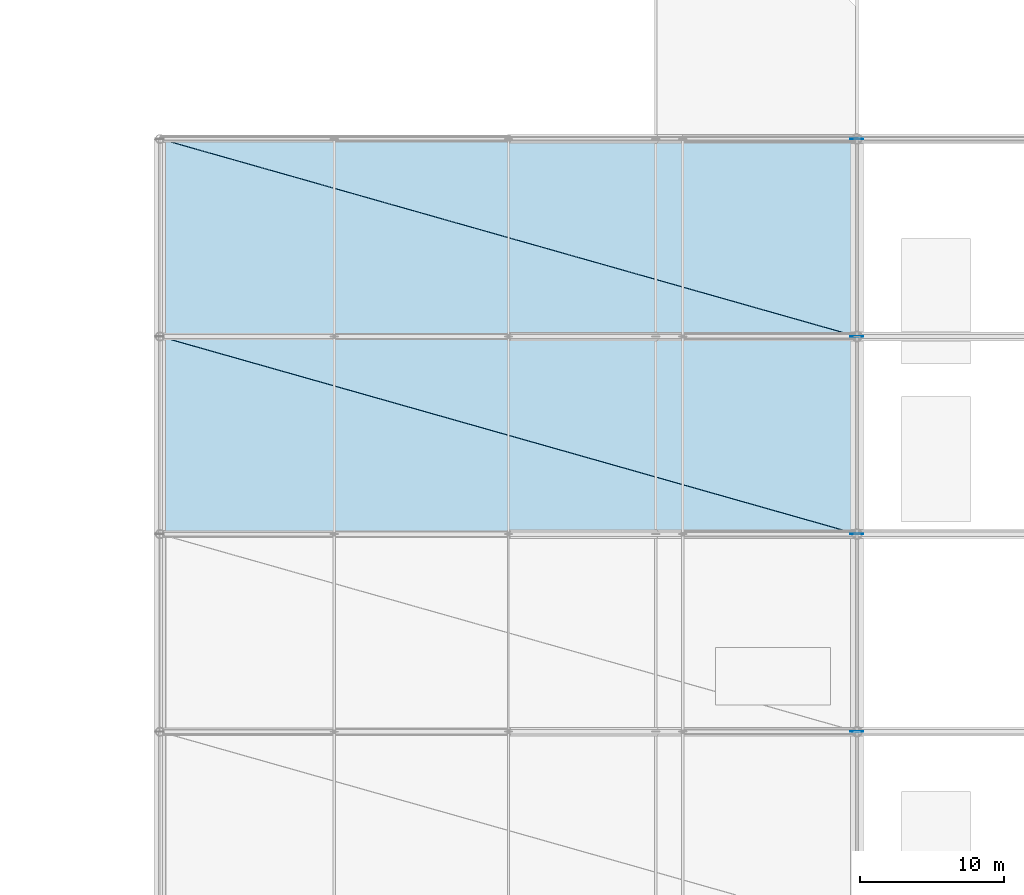
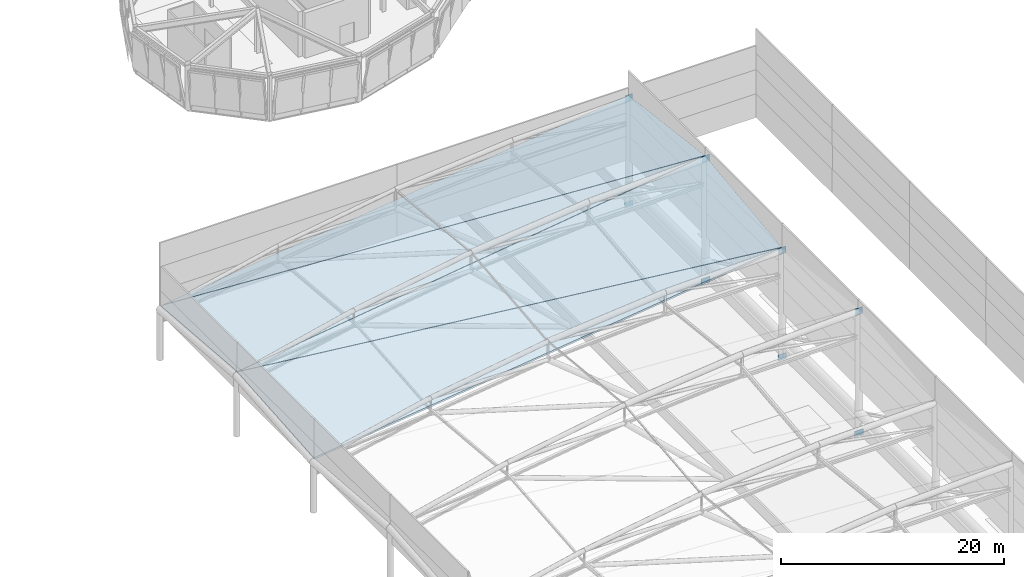
# One storey, part 72 of 113: 8 plates, 4 slabs.
"""IFC4 building model written with IfcOpenShell, lengths in metres."""

from ifc_helpers import new_model, si_unit, direction, frame, origin, origin_2d, place, context, subcontext, project, spatial, polyline, rectangle, outline, extrude, material, layer, layer_set, type_object, element, save


model = new_model("IFC4")

# Units and contexts
model_context = context("Model", 3, precision=1e-05, world=origin(), true_north=direction((0.0, 1.0)))
body_context = subcontext(model_context, "Body", "Model", "MODEL_VIEW")
ifc_project = project(units=[si_unit("LENGTHUNIT", "METRE"), si_unit("AREAUNIT", "SQUARE_METRE"), si_unit("VOLUMEUNIT", "CUBIC_METRE"), si_unit("PLANEANGLEUNIT", "RADIAN"), si_unit("MASSUNIT", "GRAM", prefix="KILO")], contexts=[model_context])

# Site, building, storey
site_placement = place(None, origin())
site = spatial("IfcSite", under=ifc_project, at=site_placement, CompositionType="ELEMENT")
building_placement = place(site_placement, origin())
building = spatial("IfcBuilding", under=site, at=building_placement, Name="Linyun Crest Stadium", CompositionType="ELEMENT")
storey_placement = place(building_placement, frame((0.0, 0.0, 26.39990234375)))
storey = spatial("IfcBuildingStorey", under=building, at=storey_placement, Name="L06", CompositionType="ELEMENT", Elevation=26.39990234375)

# Plates
ifc_material_1 = material(Name="Steel Q420C", Category="steel")
ifc_layer_1 = layer(ifc_material_1, 0.02392578125)
ifc_layer_set_1 = layer_set([ifc_layer_1], Name="Steel Q420C")
plate_type_1 = type_object("IfcPlateType", Name="EP02", PredefinedType="USERDEFINED", material=ifc_layer_set_1)
for number, where, z_axis, x_axis, name in (
    (1, (84.0, 2.125, 12.8701171875), (0.0, 0.0, 1.0), (1.0, 0.0, 0.0), "Roof mast cap end plate EP02 157"),
    (2, (84.0, 15.875, 11.169921875), (0.0, 0.0, 1.0), (1.0, 0.0, 0.0), "Roof mast cap end plate EP02 170"),
    (3, (84.0, 29.625, 12.8701171875), (0.0, 0.0, 1.0), (1.0, 0.0, 0.0), "Roof mast cap end plate EP02 183"),
    (4, (84.0, 43.375, 11.169921875), (0.0, 0.0, 1.0), (1.0, 0.0, 0.0), "Roof mast cap end plate EP02 196"),
):
    element("IfcPlate", number, at=place(storey_placement, frame(where, z_axis=z_axis, x_axis=x_axis)), inside=storey, type_object=plate_type_1, Name=name, ObjectType="END PLATE", PredefinedType="USERDEFINED", context=body_context, shape_type="SweptSolid", body=[
        extrude(rectangle(XDim=0.760009765625, YDim=0.02392578125, at=origin_2d()), origin(), (0.0, 0.0, 1.0), 0.760009765625),
    ])
ifc_material_2 = material(Name="Steel Q420C", Category="steel")
ifc_layer_2 = layer(ifc_material_2, 0.031982421875)
ifc_layer_set_2 = layer_set([ifc_layer_2], Name="Steel Q420C")
plate_type_2 = type_object("IfcPlateType", Name="NP03", PredefinedType="USERDEFINED", material=ifc_layer_set_2)
for number, where, z_axis, x_axis, name in (
    (5, (84.0, 2.125, -0.389892578125), (0.0, 0.0, 1.0), (1.0, 0.0, 0.0), "Roof mast base gusset plate NP03 158"),
    (6, (84.0, 15.875, -0.389892578125), (0.0, 0.0, 1.0), (1.0, 0.0, 0.0), "Roof mast base gusset plate NP03 171"),
    (7, (84.0, 29.625, -0.389892578125), (0.0, 0.0, 1.0), (1.0, 0.0, 0.0), "Roof mast base gusset plate NP03 184"),
    (8, (84.0, 43.375, -0.389892578125), (0.0, 0.0, 1.0), (1.0, 0.0, 0.0), "Roof mast base gusset plate NP03 197"),
):
    element("IfcPlate", number, at=place(storey_placement, frame(where, z_axis=z_axis, x_axis=x_axis)), inside=storey, type_object=plate_type_2, Name=name, ObjectType="GUSSET PLATE", PredefinedType="USERDEFINED", context=body_context, shape_type="SweptSolid", body=[
        extrude(rectangle(XDim=0.89990234375, YDim=0.031982421875, at=origin_2d()), origin(), (0.0, 0.0, 1.0), 0.64990234375),
    ])

# Slabs
ifc_material_3 = material(Name="Concrete C40", Category="concrete")
ifc_layer_3 = layer(ifc_material_3, 0.205078125)
ifc_layer_set_3 = layer_set([ifc_layer_3], Name="Concrete C40")
slab_type_1 = type_object("IfcSlabType", Name="RS01", PredefinedType="ROOF", material=ifc_layer_set_3)
slab_1_placement = place(storey_placement, frame((83.95703125, 15.89990234375, 11.906982421875), z_axis=(-0.13577002672, -0.121589352281, 0.98325100013), x_axis=(-0.000371100634, 0.992446795163, 0.12267526668)))
element("IfcSlab", 9, at=slab_1_placement, inside=storey, type_object=slab_type_1, Name="Wave canopy roof deck RS01 V2 25", PredefinedType="ROOF", context=body_context, shape_type="SweptSolid", body=[
    extrude(outline(polyline([(0.0, 0.0), (13.815533192762485, -8.326672684688674e-17), (13.020487610673305, 48.854528291089636), (0.0, 0.0)])), origin(), (0.0, 0.0, -1.0), 0.205078125),
])
slab_2_placement = place(storey_placement, frame((83.95703125, 29.64990234375, 13.6015625), z_axis=(-0.123903217788, 0.121753429256, 0.984796473941), x_axis=(-0.000371097415, 0.992438186889, -0.122744887843)))
element("IfcSlab", 10, at=slab_2_placement, inside=storey, type_object=slab_type_1, Name="Wave canopy roof deck RS01 V2 27", PredefinedType="ROOF", context=body_context, shape_type="SweptSolid", body=[
    extrude(outline(polyline([(0.0, 0.0), (13.815653026822458, 2.7755575615628914e-17), (14.587986164800817, 48.777436168552335), (0.0, 0.0)])), origin(), (0.0, 0.0, -1.0), 0.205078125),
])
ifc_material_4 = material(Name="Concrete C40", Category="concrete")
ifc_layer_4 = layer(ifc_material_4, 0.215087890625)
ifc_layer_set_4 = layer_set([ifc_layer_4], Name="Concrete C40")
slab_type_2 = type_object("IfcSlabType", Name="RS02", PredefinedType="ROOF", material=ifc_layer_set_4)
slab_3_placement = place(storey_placement, frame((83.949951171875, 15.882080078125, 11.904296875), z_axis=(-0.124435508682, -0.079488724522, 0.989038597251), x_axis=(-0.957419498037, 0.271322376372, -0.098651268919)))
element("IfcSlab", 11, at=slab_3_placement, inside=storey, type_object=slab_type_2, Name="Wave canopy roof deck RS02 V2 26", PredefinedType="ROOF", context=body_context, shape_type="SweptSolid", body=[
    extrude(outline(polyline([(0.0, 0.0), (50.559846045696915, -2.220446049250313e-16), (46.94343346884189, 13.27143513228775), (0.0, 0.0)])), origin(), (0.0, 0.0, -1.0), 0.215087890625),
])
slab_4_placement = place(storey_placement, frame((83.949951171875, 29.632080078125, 13.602783203125), z_axis=(-0.136354960754, 0.079353671068, 0.98747674381), x_axis=(-0.950793500178, 0.269444639927, -0.152942165652)))
element("IfcSlab", 12, at=slab_4_placement, inside=storey, type_object=slab_type_2, Name="Wave canopy roof deck RS02 V2 28", PredefinedType="ROOF", context=body_context, shape_type="SweptSolid", body=[
    extrude(outline(polyline([(0.0, 0.0), (50.91219324997789, -2.1649348980190553e-15), (47.04428946420669, 13.200433362439872), (0.0, 0.0)])), origin(), (0.0, 0.0, -1.0), 0.215087890625),
])

save(model, "model.ifc")
